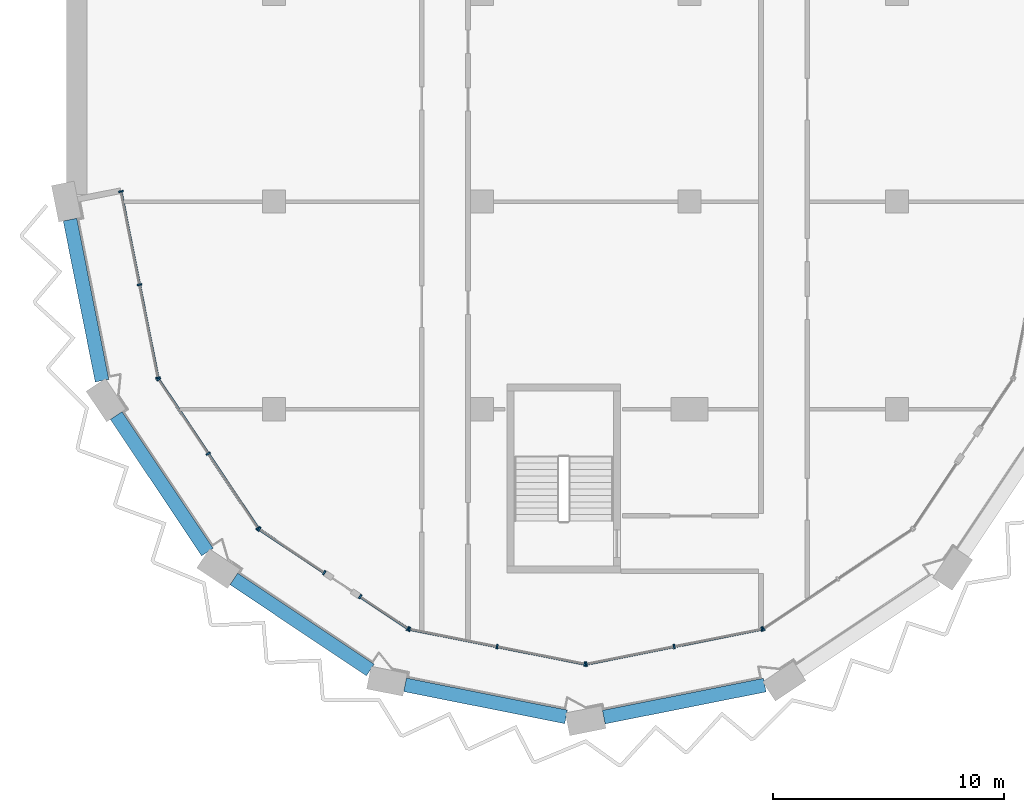
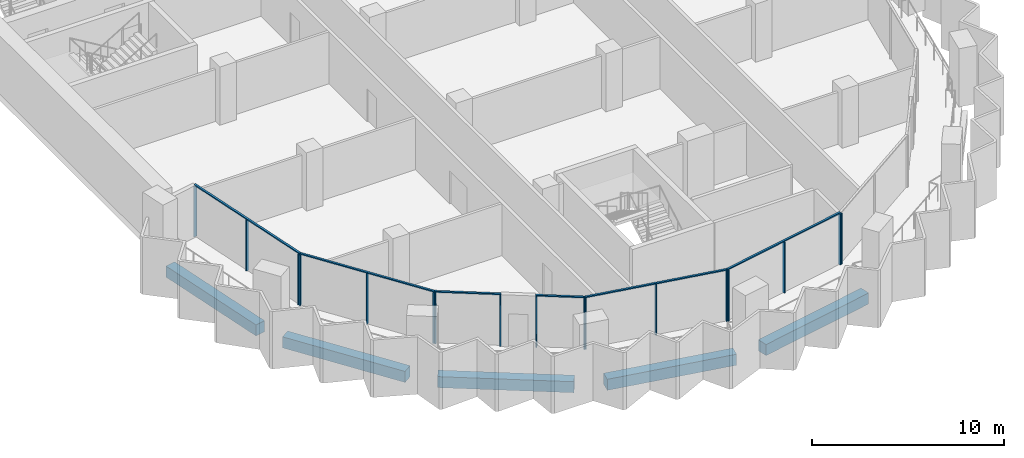
# One storey, part 2 of 16: 23 members, 5 beams, 7 elements without a shape of their own.
"""IFC4 building model written with IfcOpenShell, lengths in metres."""

from ifc_helpers import new_model, si_unit, direction, frame, origin, origin_2d, place, context, subcontext, project, spatial, rectangle, extrude, material, material_profile, profile_set, type_object, element, aggregate, save


model = new_model("IFC4")

# Units and contexts
model_context = context("Model", 3, precision=1e-05, world=origin(), true_north=direction((0.0, 1.0)))
body_context = subcontext(model_context, "Body", "Model", "MODEL_VIEW")
ifc_project = project(units=[si_unit("LENGTHUNIT", "METRE"), si_unit("AREAUNIT", "SQUARE_METRE"), si_unit("VOLUMEUNIT", "CUBIC_METRE"), si_unit("PLANEANGLEUNIT", "RADIAN"), si_unit("MASSUNIT", "GRAM", prefix="KILO")], contexts=[model_context])

# Site, building, storey
site_placement = place(None, origin())
site = spatial("IfcSite", under=ifc_project, at=site_placement, CompositionType="ELEMENT")
building_placement = place(site_placement, origin())
building = spatial("IfcBuilding", under=site, at=building_placement, Name="Hunhe Ridgeline Campus", CompositionType="ELEMENT")
storey_placement = place(building_placement, frame((0.0, 0.0, 246.60009765625)))
storey = spatial("IfcBuildingStorey", under=building, at=storey_placement, Name="L63", CompositionType="ELEMENT", Elevation=246.60009765625)

# Curtain wall, members
ifc_material_1 = material(Name="Aluminium 6063", Category="aluminium")
curtain_wall_type = type_object("IfcCurtainWallType", Name="Curtain wall CW-5", PredefinedType="NOTDEFINED", material=ifc_material_1)
curtain_wall_1_placement = place(storey_placement, origin())
curtain_wall_1 = element("IfcCurtainWall", 1, at=curtain_wall_1_placement, inside=storey, type_object=curtain_wall_type, Name="Curtain wall 01", PredefinedType="NOTDEFINED")
ifc_material_profile_1 = material_profile(ifc_material_1, rectangle(XDim=0.199951171875, YDim=0.070068359375, at=origin_2d()))
ifc_profile_set_1 = profile_set([ifc_material_profile_1], Name="Aluminium 6063")
member_type_1 = type_object("IfcMemberType", Name="CW-5 aluminium mullion", PredefinedType="MULLION", material=ifc_profile_set_1)
member_1_placement = place(storey_placement, frame((2.361572265625, 45.434326171875, 0.0), z_axis=(0.0, 0.0, 1.0), x_axis=(0.980784280831, 0.195095347137, 0.0)))
member_1 = element("IfcMember", 2, at=member_1_placement, type_object=member_type_1, Name="CW-5 mullion 1", PredefinedType="MULLION", context=body_context, shape_type="SweptSolid", body=[
    extrude(rectangle(XDim=0.199951171875, YDim=0.070068359375, at=origin_2d()), origin(), (0.0, 0.0, 1.0), 3.22998046875),
])
member_2_placement = place(storey_placement, frame((3.16455078125, 41.3974609375, 0.0), z_axis=(0.0, 0.0, 1.0), x_axis=(0.980784280831, 0.195095347137, 0.0)))
member_2 = element("IfcMember", 3, at=member_2_placement, type_object=member_type_1, Name="CW-5 mullion 2", PredefinedType="MULLION", context=body_context, shape_type="SweptSolid", body=[
    extrude(rectangle(XDim=0.199951171875, YDim=0.070068359375, at=origin_2d()), origin(), (0.0, 0.0, 1.0), 3.22998046875),
])
member_3_placement = place(storey_placement, frame((3.967529296875, 37.36083984375, 0.0), z_axis=(0.0, 0.0, 1.0), x_axis=(0.980784280831, 0.195095347137, 0.0)))
member_3 = element("IfcMember", 4, at=member_3_placement, type_object=member_type_1, Name="CW-5 mullion 3", PredefinedType="MULLION", context=body_context, shape_type="SweptSolid", body=[
    extrude(rectangle(XDim=0.199951171875, YDim=0.070068359375, at=origin_2d()), origin(), (0.0, 0.0, 1.0), 3.22998046875),
])

curtain_wall_2_placement = place(storey_placement, origin())
curtain_wall_2 = element("IfcCurtainWall", 5, at=curtain_wall_2_placement, inside=storey, type_object=curtain_wall_type, Name="Curtain wall 02", PredefinedType="NOTDEFINED")
member_4_placement = place(storey_placement, frame((3.993896484375, 37.29736328125, 0.0), z_axis=(0.0, 0.0, 1.0), x_axis=(0.831469584522, 0.555570274596, 0.0)))
member_4 = element("IfcMember", 6, at=member_4_placement, type_object=member_type_1, Name="CW-5 mullion 1", PredefinedType="MULLION", context=body_context, shape_type="SweptSolid", body=[
    extrude(rectangle(XDim=0.199951171875, YDim=0.070068359375, at=origin_2d()), origin(), (0.0, 0.0, 1.0), 3.22998046875),
])
member_5_placement = place(storey_placement, frame((6.147705078125, 34.07373046875, 0.0), z_axis=(0.0, 0.0, 1.0), x_axis=(0.831469584522, 0.555570274596, 0.0)))
member_5 = element("IfcMember", 7, at=member_5_placement, type_object=member_type_1, Name="CW-5 mullion 2", PredefinedType="MULLION", context=body_context, shape_type="SweptSolid", body=[
    extrude(rectangle(XDim=0.199951171875, YDim=0.070068359375, at=origin_2d()), origin(), (0.0, 0.0, 1.0), 3.22998046875),
])
member_6_placement = place(storey_placement, frame((8.3017578125, 30.850341796875, 0.0), z_axis=(0.0, 0.0, 1.0), x_axis=(0.831469584522, 0.555570274596, 0.0)))
member_6 = element("IfcMember", 8, at=member_6_placement, type_object=member_type_1, Name="CW-5 mullion 3", PredefinedType="MULLION", context=body_context, shape_type="SweptSolid", body=[
    extrude(rectangle(XDim=0.199951171875, YDim=0.070068359375, at=origin_2d()), origin(), (0.0, 0.0, 1.0), 3.22998046875),
])

curtain_wall_3_placement = place(storey_placement, origin())
curtain_wall_3 = element("IfcCurtainWall", 9, at=curtain_wall_3_placement, inside=storey, type_object=curtain_wall_type, Name="Curtain wall 03", PredefinedType="NOTDEFINED")
member_7_placement = place(storey_placement, frame((8.350341796875, 30.8017578125, 0.0), z_axis=(0.0, 0.0, 1.0), x_axis=(0.555570257501, 0.831469595944, 0.0)))
member_7 = element("IfcMember", 10, at=member_7_placement, type_object=member_type_1, Name="CW-5 mullion 1", PredefinedType="MULLION", context=body_context, shape_type="SweptSolid", body=[
    extrude(rectangle(XDim=0.199951171875, YDim=0.070068359375, at=origin_2d()), origin(), (0.0, 0.0, 1.0), 3.22998046875),
])
member_8_placement = place(storey_placement, frame((11.17041015625, 28.917236328125, 0.0), z_axis=(0.0, 0.0, 1.0), x_axis=(0.555570257501, 0.831469595944, 0.0)))
member_8 = element("IfcMember", 11, at=member_8_placement, type_object=member_type_1, Name="CW-5 mullion 2", PredefinedType="MULLION", context=body_context, shape_type="SweptSolid", body=[
    extrude(rectangle(XDim=0.199951171875, YDim=0.070068359375, at=origin_2d()), origin(), (0.0, 0.0, 1.0), 3.22998046875),
])

curtain_wall_4_placement = place(storey_placement, origin())
curtain_wall_4 = element("IfcCurtainWall", 12, at=curtain_wall_4_placement, inside=storey, type_object=curtain_wall_type, Name="Curtain wall 04", PredefinedType="NOTDEFINED")
member_9_placement = place(storey_placement, frame((12.725341796875, 27.87841796875, 0.0), z_axis=(0.0, 0.0, 1.0), x_axis=(0.555570385598, 0.831469510353, 0.0)))
member_9 = element("IfcMember", 13, at=member_9_placement, type_object=member_type_1, Name="CW-5 mullion 1", PredefinedType="MULLION", context=body_context, shape_type="SweptSolid", body=[
    extrude(rectangle(XDim=0.199951171875, YDim=0.070068359375, at=origin_2d()), origin(), (0.0, 0.0, 1.0), 3.22998046875),
])
member_10_placement = place(storey_placement, frame((14.79736328125, 26.493896484375, 0.0), z_axis=(0.0, 0.0, 1.0), x_axis=(0.555570385598, 0.831469510353, 0.0)))
member_10 = element("IfcMember", 14, at=member_10_placement, type_object=member_type_1, Name="CW-5 mullion 2", PredefinedType="MULLION", context=body_context, shape_type="SweptSolid", body=[
    extrude(rectangle(XDim=0.199951171875, YDim=0.070068359375, at=origin_2d()), origin(), (0.0, 0.0, 1.0), 3.22998046875),
])

curtain_wall_5_placement = place(storey_placement, origin())
curtain_wall_5 = element("IfcCurtainWall", 15, at=curtain_wall_5_placement, inside=storey, type_object=curtain_wall_type, Name="Curtain wall 05", PredefinedType="NOTDEFINED")
member_11_placement = place(storey_placement, frame((14.86083984375, 26.467529296875, 0.0), z_axis=(0.0, 0.0, 1.0), x_axis=(0.195090347539, 0.980785275326, 0.0)))
member_11 = element("IfcMember", 16, at=member_11_placement, type_object=member_type_1, Name="CW-5 mullion 1", PredefinedType="MULLION", context=body_context, shape_type="SweptSolid", body=[
    extrude(rectangle(XDim=0.199951171875, YDim=0.070068359375, at=origin_2d()), origin(), (0.0, 0.0, 1.0), 3.22998046875),
])
member_12_placement = place(storey_placement, frame((18.663330078125, 25.711181640625, 0.0), z_axis=(0.0, 0.0, 1.0), x_axis=(0.195090347539, 0.980785275326, 0.0)))
member_12 = element("IfcMember", 17, at=member_12_placement, type_object=member_type_1, Name="CW-5 mullion 2", PredefinedType="MULLION", context=body_context, shape_type="SweptSolid", body=[
    extrude(rectangle(XDim=0.199951171875, YDim=0.070068359375, at=origin_2d()), origin(), (0.0, 0.0, 1.0), 3.22998046875),
])
member_13_placement = place(storey_placement, frame((22.465576171875, 24.954833984375, 0.0), z_axis=(0.0, 0.0, 1.0), x_axis=(0.195090347539, 0.980785275326, 0.0)))
member_13 = element("IfcMember", 18, at=member_13_placement, type_object=member_type_1, Name="CW-5 mullion 3", PredefinedType="MULLION", context=body_context, shape_type="SweptSolid", body=[
    extrude(rectangle(XDim=0.199951171875, YDim=0.070068359375, at=origin_2d()), origin(), (0.0, 0.0, 1.0), 3.22998046875),
])

curtain_wall_6_placement = place(storey_placement, origin())
curtain_wall_6 = element("IfcCurtainWall", 19, at=curtain_wall_6_placement, inside=storey, type_object=curtain_wall_type, Name="Curtain wall 06", PredefinedType="NOTDEFINED")
member_14_placement = place(storey_placement, frame((22.534423828125, 24.954833984375, 0.0), z_axis=(0.0, 0.0, 1.0), x_axis=(-0.195090347539, 0.980785275326, 0.0)))
member_14 = element("IfcMember", 20, at=member_14_placement, type_object=member_type_1, Name="CW-5 mullion 1", PredefinedType="MULLION", context=body_context, shape_type="SweptSolid", body=[
    extrude(rectangle(XDim=0.199951171875, YDim=0.070068359375, at=origin_2d()), origin(), (0.0, 0.0, 1.0), 3.22998046875),
])
member_15_placement = place(storey_placement, frame((26.336669921875, 25.711181640625, 0.0), z_axis=(0.0, 0.0, 1.0), x_axis=(-0.195090347539, 0.980785275326, 0.0)))
member_15 = element("IfcMember", 21, at=member_15_placement, type_object=member_type_1, Name="CW-5 mullion 2", PredefinedType="MULLION", context=body_context, shape_type="SweptSolid", body=[
    extrude(rectangle(XDim=0.199951171875, YDim=0.070068359375, at=origin_2d()), origin(), (0.0, 0.0, 1.0), 3.22998046875),
])
member_16_placement = place(storey_placement, frame((30.13916015625, 26.467529296875, 0.0), z_axis=(0.0, 0.0, 1.0), x_axis=(-0.195090347539, 0.980785275326, 0.0)))
member_16 = element("IfcMember", 22, at=member_16_placement, type_object=member_type_1, Name="CW-5 mullion 3", PredefinedType="MULLION", context=body_context, shape_type="SweptSolid", body=[
    extrude(rectangle(XDim=0.199951171875, YDim=0.070068359375, at=origin_2d()), origin(), (0.0, 0.0, 1.0), 3.22998046875),
])

# Curtain wall, member
curtain_wall_7_placement = place(storey_placement, origin())
curtain_wall_7 = element("IfcCurtainWall", 23, at=curtain_wall_7_placement, inside=storey, type_object=curtain_wall_type, Name="Curtain wall 07", PredefinedType="NOTDEFINED")
member_17_placement = place(storey_placement, frame((30.20263671875, 26.493896484375, 0.0), z_axis=(0.0, 0.0, 1.0), x_axis=(-0.555570274596, 0.831469584522, 0.0)))
member_17 = element("IfcMember", 24, at=member_17_placement, type_object=member_type_1, Name="CW-5 mullion 1", PredefinedType="MULLION", context=body_context, shape_type="SweptSolid", body=[
    extrude(rectangle(XDim=0.199951171875, YDim=0.070068359375, at=origin_2d()), origin(), (0.0, 0.0, 1.0), 3.22998046875),
])
aggregate(curtain_wall_7, [member_17])

# Member
ifc_material_profile_2 = material_profile(ifc_material_1, rectangle(XDim=0.1201171875, YDim=0.070068359375, at=origin_2d()))
ifc_profile_set_2 = profile_set([ifc_material_profile_2], Name="Aluminium 6063")
member_type_2 = type_object("IfcMemberType", Name="CW-5 aluminium transom", PredefinedType="USERDEFINED", material=ifc_profile_set_2)
member_18_placement = place(storey_placement, frame((2.354736328125, 45.46875, 3.264892578125), z_axis=(0.195092405068, -0.980784866056, 0.0), x_axis=(0.980784866056, 0.195092405068, 0.0)))
member_18 = element("IfcMember", 25, at=member_18_placement, type_object=member_type_2, Name="CW-5 transom 1", ObjectType="TRANSOM", PredefinedType="USERDEFINED", context=body_context, shape_type="SweptSolid", body=[
    extrude(rectangle(XDim=0.1201171875, YDim=0.070068359375, at=origin_2d()), origin(), (0.0, 0.0, 1.0), 8.3017578125),
])

aggregate(curtain_wall_1, [member_18, member_1, member_2, member_3])

member_19_placement = place(storey_placement, frame((3.974365234375, 37.326416015625, 3.264892578125), z_axis=(0.5555640203, -0.831473763475, 0.0), x_axis=(0.831473763475, 0.5555640203, 0.0)))
member_19 = element("IfcMember", 26, at=member_19_placement, type_object=member_type_2, Name="CW-5 transom 1", ObjectType="TRANSOM", PredefinedType="USERDEFINED", context=body_context, shape_type="SweptSolid", body=[
    extrude(rectangle(XDim=0.1201171875, YDim=0.070068359375, at=origin_2d()), origin(), (0.0, 0.0, 1.0), 7.823974609375),
])

aggregate(curtain_wall_2, [member_19, member_4, member_5, member_6])

member_20_placement = place(storey_placement, frame((8.321044921875, 30.821044921875, 3.264892578125), z_axis=(0.831485714606, -0.555546133463, 0.0), x_axis=(0.555546133463, 0.831485714606, 0.0)))
member_20 = element("IfcMember", 27, at=member_20_placement, type_object=member_type_2, Name="CW-5 transom 1", ObjectType="TRANSOM", PredefinedType="USERDEFINED", context=body_context, shape_type="SweptSolid", body=[
    extrude(rectangle(XDim=0.1201171875, YDim=0.070068359375, at=origin_2d()), origin(), (0.0, 0.0, 1.0), 3.462158203125),
])

aggregate(curtain_wall_3, [member_20, member_7, member_8])

member_21_placement = place(storey_placement, frame((12.6962890625, 27.897705078125, 3.264892578125), z_axis=(0.831463388334, -0.555579547735, 0.0), x_axis=(0.555579547735, 0.831463388334, 0.0)))
member_21 = element("IfcMember", 28, at=member_21_placement, type_object=member_type_2, Name="CW-5 transom 1", ObjectType="TRANSOM", PredefinedType="USERDEFINED", context=body_context, shape_type="SweptSolid", body=[
    extrude(rectangle(XDim=0.1201171875, YDim=0.070068359375, at=origin_2d()), origin(), (0.0, 0.0, 1.0), 2.56201171875),
])

aggregate(curtain_wall_4, [member_21, member_9, member_10])

member_22_placement = place(storey_placement, frame((14.826416015625, 26.474365234375, 3.264892578125), z_axis=(0.980785367689, -0.195089883198, 0.0), x_axis=(0.195089883198, 0.980785367689, 0.0)))
member_22 = element("IfcMember", 29, at=member_22_placement, type_object=member_type_2, Name="CW-5 transom 1", ObjectType="TRANSOM", PredefinedType="USERDEFINED", context=body_context, shape_type="SweptSolid", body=[
    extrude(rectangle(XDim=0.1201171875, YDim=0.070068359375, at=origin_2d()), origin(), (0.0, 0.0, 1.0), 7.823974609375),
])

aggregate(curtain_wall_5, [member_22, member_11, member_12, member_13])

member_23_placement = place(storey_placement, frame((22.5, 24.947998046875, 3.264892578125), z_axis=(0.980785367689, 0.195089883198, 0.0), x_axis=(-0.195089883198, 0.980785367689, 0.0)))
member_23 = element("IfcMember", 30, at=member_23_placement, type_object=member_type_2, Name="CW-5 transom 1", ObjectType="TRANSOM", PredefinedType="USERDEFINED", context=body_context, shape_type="SweptSolid", body=[
    extrude(rectangle(XDim=0.1201171875, YDim=0.070068359375, at=origin_2d()), origin(), (0.0, 0.0, 1.0), 7.823974609375),
])

aggregate(curtain_wall_6, [member_23, member_14, member_15, member_16])

# Beams
ifc_material_2 = material(Name="Concrete C50", Category="concrete")
ifc_material_profile_3 = material_profile(ifc_material_2, rectangle(XDim=0.60009765625, YDim=0.699951171875, at=origin_2d()))
ifc_profile_set_3 = profile_set([ifc_material_profile_3], Name="Concrete C50")
beam_type = type_object("IfcBeamType", Name="RC spandrel beam 600x700 Concrete C50", PredefinedType="SPANDREL", material=ifc_profile_set_3)
for number, where, z_axis, x_axis, name in (
    (31, (0.156005859375, 44.21533203125, -0.60009765625), (0.195092933717, -0.9807847609, 0.0), (0.9807847609, 0.195092933717, 0.0), "Spandrel beam B4-1 L63"),
    (32, (2.1572265625, 35.724365234375, -0.60009765625), (0.55557907181, -0.831463706344, 0.0), (0.831463706344, 0.55557907181, 0.0), "Spandrel beam B4-2 L63"),
    (33, (7.25537109375, 28.645751953125, -0.60009765625), (0.831463706344, -0.55557907181, 0.0), (0.55557907181, 0.831463706344, 0.0), "Spandrel beam B4-3 L63"),
    (34, (14.67431640625, 24.056640625, -0.60009765625), (0.9807847609, -0.195092933717, 0.0), (0.195092933717, 0.9807847609, 0.0), "Spandrel beam B4-4 L63"),
    (35, (23.28466796875, 22.656005859375, -0.60009765625), (0.9807847609, 0.195092933717, 0.0), (-0.195092933717, 0.9807847609, 0.0), "Spandrel beam B4-5 L63"),
):
    element("IfcBeam", number, at=place(storey_placement, frame(where, z_axis=z_axis, x_axis=x_axis)), inside=storey, type_object=beam_type, Name=name, PredefinedType="SPANDREL", context=body_context, shape_type="SweptSolid", body=[
        extrude(rectangle(XDim=0.60009765625, YDim=0.699951171875, at=origin_2d()), origin(), (0.0, 0.0, 1.0), 7.113037109375),
    ])

save(model, "model.ifc")
